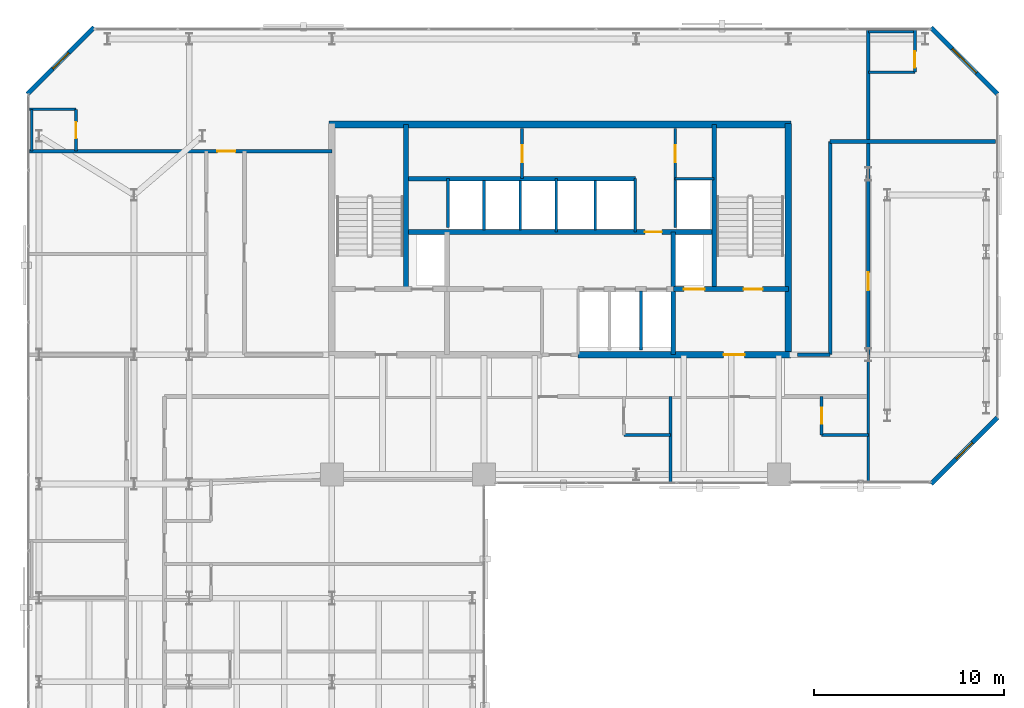
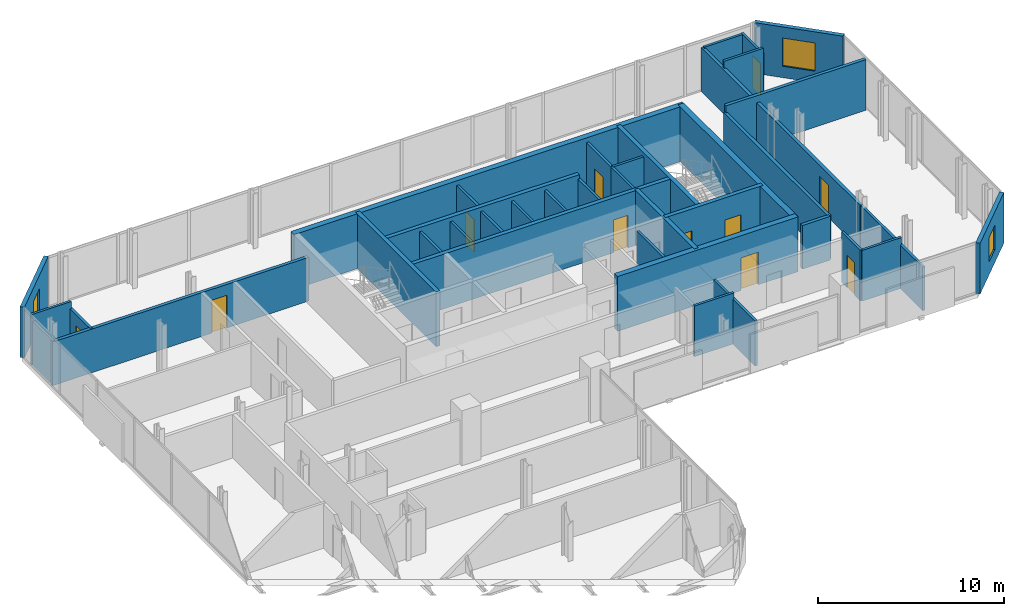
# One storey, part 29 of 32: 39 walls, 11 doors, 3 windows, 14 openings.
"""IFC4 building model written with IfcOpenShell, lengths in metres."""

import ifcopenshell
import ifcopenshell.guid

model = None  # the IFC model being written
_history = None  # IfcOwnerHistory: only IFC2X3 demands one
_inside = {}  # id of a spatial element -> (the spatial element, [elements in it])
_under = {}  # id of a project, library or spatial element -> (it, [spatial elements below it])
_declared = {}  # id of a project -> (the project, [libraries it declares])
_typed = {}  # id of a type object -> (the type object, [elements of that type])
_made_of = {}  # id of a material, layer set ... -> (it, [elements and type objects made of it])


def new_model(schema):
    """Start an empty IFC model of exactly this schema.

    Asked for "IFC4X3", IfcOpenShell would pick the latest addendum, in which some entities
    have other attributes; the version numbers below select the first issue.
    IFC2X3 requires an IfcOwnerHistory on every rooted entity: one is made here for all.
    """
    global model, _history
    if schema == "IFC4X3":
        model = ifcopenshell.file(schema_version=(4, 3, 0, 0))
    else:
        model = ifcopenshell.file(schema=schema)
    _inside.clear()
    _under.clear()
    _declared.clear()
    _typed.clear()
    _made_of.clear()
    _history = None
    if model.schema == "IFC2X3":
        org = make("IfcOrganization", Name="unknown")
        user = make(
            "IfcPersonAndOrganization",
            ThePerson=make("IfcPerson", FamilyName="unknown"),
            TheOrganization=org,
        )
        app = make(
            "IfcApplication",
            ApplicationDeveloper=org,
            Version="unknown",
            ApplicationFullName="unknown",
            ApplicationIdentifier="unknown",
        )
        _history = make(
            "IfcOwnerHistory",
            OwningUser=user,
            OwningApplication=app,
            ChangeAction="ADDED",
            CreationDate=0,
        )
    return model


def make(cls, **values):
    """One entity of the class cls with the attributes given. An attribute that is None is left unset."""
    return model.create_entity(
        cls, **{name: value for name, value in values.items() if value is not None}
    )


def rooted(cls, **values):
    """An entity with a GlobalId (a new one), such as an element, a storey or a relation."""
    return make(cls, GlobalId=ifcopenshell.guid.new(), OwnerHistory=_history, **values)


def si_unit(unit_type, name, prefix=None):
    """IfcSIUnit, for example si_unit("LENGTHUNIT", "METRE", prefix="MILLI")."""
    return make("IfcSIUnit", UnitType=unit_type, Prefix=prefix, Name=name)


def assignment(units):
    """IfcUnitAssignment: the units of a project."""
    return None if units is None else make("IfcUnitAssignment", Units=units)


def point(xyz):
    """IfcCartesianPoint."""
    return None if xyz is None else make("IfcCartesianPoint", Coordinates=xyz)


def direction(xyz):
    """IfcDirection."""
    return None if xyz is None else make("IfcDirection", DirectionRatios=xyz)


def frame(location, z_axis=None, x_axis=None):
    """IfcAxis2Placement3D, a coordinate frame: its origin and axes. An axis left out is left unset."""
    return make(
        "IfcAxis2Placement3D",
        Location=point(location),
        Axis=direction(z_axis),
        RefDirection=direction(x_axis),
    )


def frame_2d(location, x_axis=None):
    """IfcAxis2Placement2D, a coordinate frame in the plane: its origin and x axis."""
    return make(
        "IfcAxis2Placement2D", Location=point(location), RefDirection=direction(x_axis)
    )


def origin():
    """The frame at (0, 0, 0) with its axes left unset."""
    return frame((0.0, 0.0, 0.0))


def place(relative_to, where):
    """IfcLocalPlacement: puts the frame where relative to a parent placement (None: the world)."""
    return make(
        "IfcLocalPlacement", PlacementRelTo=relative_to, RelativePlacement=where
    )


def context(
    kind, dimensions, precision=None, world=None, true_north=None, identifier=None
):
    """IfcGeometricRepresentationContext, for example the 3D "Model" context."""
    return make(
        "IfcGeometricRepresentationContext",
        ContextIdentifier=identifier,
        ContextType=kind,
        CoordinateSpaceDimension=dimensions,
        Precision=precision,
        WorldCoordinateSystem=world,
        TrueNorth=true_north,
    )


def subcontext(parent, identifier, kind, view, scale=None):
    """IfcGeometricRepresentationSubContext, for example "Body" below "Model"."""
    return make(
        "IfcGeometricRepresentationSubContext",
        ContextIdentifier=identifier,
        ContextType=kind,
        ParentContext=parent,
        TargetScale=scale,
        TargetView=view,
    )


def project(units=None, contexts=None):
    """IfcProject with its units and contexts."""
    return rooted(
        "IfcProject",
        Name="project",
        RepresentationContexts=contexts,
        UnitsInContext=assignment(units),
    )


def spatial(cls, under=None, at=None, **own):
    """A site, building, storey or space (cls), placed at a placement, below another one or the project."""
    s = rooted(cls, ObjectPlacement=at, **own)
    if under is not None:
        _under.setdefault(under.id(), (under, []))[1].append(s)
    return s


def profile(cls, at=None, kind="AREA", **sizes):
    """A parametric profile (cls). Its sizes go by their IFC names, for example OverallWidth=200.0."""
    return make(cls, ProfileType=kind, Position=at, **sizes)


def rectangle(**sizes):
    """IfcRectangleProfileDef."""
    return profile("IfcRectangleProfileDef", **sizes)


def extrude(swept, where, along, depth):
    """IfcExtrudedAreaSolid: the profile swept, set in the frame where, extruded along a direction by depth."""
    return make(
        "IfcExtrudedAreaSolid",
        SweptArea=swept,
        Position=where,
        ExtrudedDirection=direction(along),
        Depth=depth,
    )


def shape(context_of_items, identifier, shape_type, items):
    """IfcShapeRepresentation: the items that make up one representation, for example the "Body"."""
    return make(
        "IfcShapeRepresentation",
        ContextOfItems=context_of_items,
        RepresentationIdentifier=identifier,
        RepresentationType=shape_type,
        Items=items,
    )


def material(Name=None, Category=None):
    """IfcMaterial."""
    return make("IfcMaterial", Name=Name, Category=Category)


def layer(
    of_material, thickness, ventilated=None, Name=None, Category=None, Priority=None
):
    """IfcMaterialLayer: one layer of a wall or slab, of a material (None: an air gap)."""
    return make(
        "IfcMaterialLayer",
        Material=of_material,
        LayerThickness=thickness,
        IsVentilated=ventilated,
        Name=Name,
        Category=Category,
        Priority=Priority,
    )


def layer_set(layers, Name=None):
    """IfcMaterialLayerSet."""
    return make("IfcMaterialLayerSet", MaterialLayers=layers, LayerSetName=Name)


def made_of(thing, what):
    """Note that an element or type object is made of a material, layer set ...; save() writes the relation."""
    if what is not None:
        _made_of.setdefault(what.id(), (what, []))[1].append(thing)
    return thing


def type_object(cls, material=None, **own):
    """A type object (cls), such as IfcWallType, which elements share."""
    return made_of(rooted(cls, **own), material)


def element(
    cls,
    number,
    at=None,
    inside=None,
    cuts=None,
    type_object=None,
    material=None,
    context=None,
    identifier="Body",
    shape_type=None,
    held_by="IfcProductDefinitionShape",
    body=None,
    shapes=None,
    **own,
):
    """One element of the class cls, such as IfcWall. Its Tag is "e" and its number.

    at: its placement. inside: the storey or other place that contains it. cuts: it is an
    opening in that element (IfcRelVoidsElement). A single representation is given by context,
    identifier, shape_type and body (its items); several are given by shapes. held_by: the class
    of the entity that holds the representations. save() writes the other relations.
    """
    e = rooted(cls, Tag="e%d" % number, ObjectPlacement=at, **own)
    if body is not None:
        shapes = [shape(context, identifier, shape_type, body)]
    if shapes is not None:
        e.Representation = make(held_by, Representations=shapes)
    if inside is not None:
        _inside.setdefault(inside.id(), (inside, []))[1].append(e)
    if cuts is not None:
        rooted(
            "IfcRelVoidsElement", RelatingBuildingElement=cuts, RelatedOpeningElement=e
        )
    if type_object is not None:
        _typed.setdefault(type_object.id(), (type_object, []))[1].append(e)
    return made_of(e, material)


def fill(opening, filler):
    """IfcRelFillsElement: the door or window that sits in an opening."""
    return rooted(
        "IfcRelFillsElement",
        RelatingOpeningElement=opening,
        RelatedBuildingElement=filler,
    )


def aggregate(whole, parts):
    """IfcRelAggregates: a whole, such as a stair, and the parts it consists of."""
    return rooted("IfcRelAggregates", RelatingObject=whole, RelatedObjects=parts)


def save(model, path):
    """Write the relations noted so far, then the file.

    IfcRelAggregates (storeys below a building ...), IfcRelContainedInSpatialStructure (elements
    in a storey), IfcRelDefinesByType, IfcRelAssociatesMaterial and IfcRelDeclares: one each for
    every whole, place, type object, material and project.
    """
    for whole, parts in _under.values():
        aggregate(whole, parts)
    for where, things in _inside.values():
        rooted(
            "IfcRelContainedInSpatialStructure",
            RelatedElements=things,
            RelatingStructure=where,
        )
    for kind, things in _typed.values():
        rooted("IfcRelDefinesByType", RelatedObjects=things, RelatingType=kind)
    for what, things in _made_of.values():
        rooted("IfcRelAssociatesMaterial", RelatedObjects=things, RelatingMaterial=what)
    for by, libraries in _declared.values():
        rooted("IfcRelDeclares", RelatingContext=by, RelatedDefinitions=libraries)
    model.write(path)


model = new_model("IFC4")

# Units and contexts
model_context = context("Model", 3, precision=1e-05, world=origin(), true_north=direction((0.0, 1.0)))
body_context = subcontext(model_context, "Body", "Model", "MODEL_VIEW")
ifc_project = project(units=[si_unit("LENGTHUNIT", "METRE"), si_unit("AREAUNIT", "SQUARE_METRE"), si_unit("VOLUMEUNIT", "CUBIC_METRE"), si_unit("PLANEANGLEUNIT", "RADIAN"), si_unit("MASSUNIT", "GRAM", prefix="KILO")], contexts=[model_context])

# Site, building, storey
site_placement = place(None, origin())
site = spatial("IfcSite", under=ifc_project, at=site_placement, CompositionType="ELEMENT")
building_placement = place(site_placement, origin())
building = spatial("IfcBuilding", under=site, at=building_placement, Name="Catumbela Crestline Tower", CompositionType="ELEMENT")
storey_placement = place(building_placement, frame((0.0, 0.0, 129.6)))
storey = spatial("IfcBuildingStorey", under=building, at=storey_placement, Name="L33", CompositionType="ELEMENT", Elevation=129.6)

# Walls
ifc_material_1 = material(Name="Concrete C50/60", Category="concrete")
ifc_layer_1 = layer(ifc_material_1, 0.25, Name="Concrete C50/60")
ifc_layer_set_1 = layer_set([ifc_layer_1], Name="Concrete C50/60")
wall_type_1 = type_object("IfcWallType", Name="CW-250D", PredefinedType="SHEAR", material=ifc_layer_set_1)
for number, where, z_axis, x_axis, name in (
    (1, (19.9, 34.25, 0.0), (0.0, 0.0, 1.0), (0.0, 1.0, 0.0), "L33 Structural Core Shear Wall WWEB"),
    (2, (36.1, 34.25, 0.0), (0.0, 0.0, 1.0), (0.0, 1.0, 0.0), "L33 Structural Core Shear Wall EWEB"),
):
    element("IfcWall", number, at=place(storey_placement, frame(where, z_axis=z_axis, x_axis=x_axis)), inside=storey, type_object=wall_type_1, Name=name, PredefinedType="SHEAR", context=body_context, shape_type="SweptSolid", body=[
        extrude(rectangle(XDim=8.65, YDim=0.25, at=frame_2d((4.325, 0.0))), origin(), (0.0, 0.0, 1.0), 3.6),
    ])
wall_1_placement = place(storey_placement, frame((33.95, 30.8, 0.0), z_axis=(0.0, 0.0, 1.0), x_axis=(0.0, 1.0, 0.0)))
element("IfcWall", 3, at=wall_1_placement, inside=storey, type_object=wall_type_1, Name="L33 Structural Core Shear Wall FFE", PredefinedType="SHEAR", context=body_context, shape_type="SweptSolid", body=[
    extrude(rectangle(XDim=6.45, YDim=0.25, at=frame_2d((3.225, 0.0))), origin(), (0.0, 0.0, 1.0), 3.6),
])

# Wall, openings, doors
wall_2_placement = place(storey_placement, frame((33.95, 34.25, 0.0), z_axis=(0.0, 0.0, 1.0), x_axis=(1.0, 0.0, 0.0)))
wall_2 = element("IfcWall", 4, at=wall_2_placement, inside=storey, type_object=wall_type_1, Name="L33 Structural Core Shear Wall ST2S", PredefinedType="SHEAR", context=body_context, shape_type="SweptSolid", body=[
    extrude(rectangle(XDim=6.05, YDim=0.25, at=frame_2d((3.025, 0.0))), origin(), (0.0, 0.0, 1.0), 3.6),
])
opening_1_placement = place(wall_2_placement, frame((3.7, 0.0, 0.0)))
opening_1 = element("IfcOpeningElement", 5, at=opening_1_placement, cuts=wall_2, Name="Opening DF9-100", PredefinedType="OPENING", context=body_context, shape_type="SweptSolid", body=[
    extrude(rectangle(XDim=1.0, YDim=2.15, at=frame_2d((0.5, 1.075))), frame((0.0, 0.135, 0.0), z_axis=(0.0, -1.0, 0.0), x_axis=(1.0, 0.0, 0.0)), (0.0, 0.0, 1.0), 0.27),
])
opening_2_placement = place(wall_2_placement, frame((0.55, 0.0, 0.0)))
opening_2 = element("IfcOpeningElement", 6, at=opening_2_placement, cuts=wall_2, Name="Opening LD-110", PredefinedType="OPENING", context=body_context, shape_type="SweptSolid", body=[
    extrude(rectangle(XDim=1.1, YDim=2.15, at=frame_2d((0.55, 1.075))), frame((0.0, 0.135, 0.0), z_axis=(0.0, -1.0, 0.0), x_axis=(1.0, 0.0, 0.0)), (0.0, 0.0, 1.0), 0.27),
])
ifc_material_2 = material(Name="Stainless steel EN 1.4401", Category="steel")
door_type_1 = type_object("IfcDoorType", Name="DF9-100", OperationType="NOTDEFINED", PredefinedType="DOOR", material=ifc_material_2)
door_1_placement = place(opening_1_placement, origin())
door_1 = element("IfcDoor", 7, at=door_1_placement, inside=storey, type_object=door_type_1, Name="L33 Interior Door DR-L33-ST02", OperationType="SINGLE_SWING_RIGHT", OverallHeight=2.15, OverallWidth=1.0, PredefinedType="DOOR", context=body_context, shape_type="SweptSolid", body=[
    extrude(rectangle(XDim=1.0, YDim=2.15, at=frame_2d((0.5, 1.075))), frame((0.0, 0.025, 0.0), z_axis=(0.0, -1.0, 0.0), x_axis=(1.0, 0.0, 0.0)), (0.0, 0.0, 1.0), 0.05),
])
fill(opening_1, door_1)
door_type_2 = type_object("IfcDoorType", Name="LD-110", OperationType="NOTDEFINED", PredefinedType="DOOR", material=ifc_material_2)
door_2_placement = place(opening_2_placement, origin())
door_2 = element("IfcDoor", 8, at=door_2_placement, inside=storey, type_object=door_type_2, Name="L33 Lift Landing Sliding Door FL-02", OperationType="DOUBLE_DOOR_SLIDING", OverallHeight=2.15, OverallWidth=1.1, PredefinedType="DOOR", context=body_context, shape_type="SweptSolid", body=[
    extrude(rectangle(XDim=1.1, YDim=2.15, at=frame_2d((0.55, 1.075))), frame((0.0, 0.025, 0.0), z_axis=(0.0, -1.0, 0.0), x_axis=(1.0, 0.0, 0.0)), (0.0, 0.0, 1.0), 0.05),
])
fill(opening_2, door_2)

# Wall, opening, door
wall_3_placement = place(storey_placement, frame((19.9, 37.25, 0.0), z_axis=(0.0, 0.0, 1.0), x_axis=(1.0, 0.0, 0.0)))
wall_3 = element("IfcWall", 9, at=wall_3_placement, inside=storey, type_object=wall_type_1, Name="L33 Structural Core Shear Wall LIFTN", PredefinedType="SHEAR", context=body_context, shape_type="SweptSolid", body=[
    extrude(rectangle(XDim=16.2, YDim=0.25, at=frame_2d((8.1, 0.0))), origin(), (0.0, 0.0, 1.0), 3.6),
])
opening_3_placement = place(wall_3_placement, frame((12.55, 0.0, 0.0)))
opening_3 = element("IfcOpeningElement", 10, at=opening_3_placement, cuts=wall_3, Name="Opening DF9-090", PredefinedType="OPENING", context=body_context, shape_type="SweptSolid", body=[
    extrude(rectangle(XDim=0.9, YDim=2.15, at=frame_2d((0.45, 1.075))), frame((0.0, 0.135, 0.0), z_axis=(0.0, -1.0, 0.0), x_axis=(1.0, 0.0, 0.0)), (0.0, 0.0, 1.0), 0.27),
])
door_type_3 = type_object("IfcDoorType", Name="DF9-090", OperationType="NOTDEFINED", PredefinedType="DOOR", material=ifc_material_2)
door_3_placement = place(opening_3_placement, origin())
door_3 = element("IfcDoor", 11, at=door_3_placement, inside=storey, type_object=door_type_3, Name="L33 Interior Door DR-L33-CPAS1", OperationType="SINGLE_SWING_LEFT", OverallHeight=2.15, OverallWidth=0.9, PredefinedType="DOOR", context=body_context, shape_type="SweptSolid", body=[
    extrude(rectangle(XDim=0.9, YDim=2.15, at=frame_2d((0.45, 1.075))), frame((0.0, 0.025, 0.0), z_axis=(0.0, -1.0, 0.0), x_axis=(1.0, 0.0, 0.0)), (0.0, 0.0, 1.0), 0.05),
])
fill(opening_3, door_3)

# Walls
wall_4_placement = place(storey_placement, frame((19.9, 40.05, 0.0), z_axis=(0.0, 0.0, 1.0), x_axis=(1.0, 0.0, 0.0)))
element("IfcWall", 12, at=wall_4_placement, inside=storey, type_object=wall_type_1, Name="L33 Structural Core Shear Wall COREN", PredefinedType="SHEAR", context=body_context, shape_type="SweptSolid", body=[
    extrude(rectangle(XDim=12.05, YDim=0.25, at=frame_2d((6.025, 0.0))), origin(), (0.0, 0.0, 1.0), 3.6),
])
ifc_layer_2 = layer(ifc_material_1, 0.35, Name="Concrete C50/60")
ifc_layer_set_2 = layer_set([ifc_layer_2], Name="Concrete C50/60")
wall_type_2 = type_object("IfcWallType", Name="CW-350B", PredefinedType="SHEAR", material=ifc_layer_set_2)
wall_5_placement = place(storey_placement, frame((40.0, 30.65, 0.0), z_axis=(0.0, 0.0, 1.0), x_axis=(0.0, 1.0, 0.0)))
element("IfcWall", 13, at=wall_5_placement, inside=storey, type_object=wall_type_2, Name="L33 Structural Core Shear Wall E", PredefinedType="SHEAR", context=body_context, shape_type="SweptSolid", body=[
    extrude(rectangle(XDim=12.3, YDim=0.35, at=frame_2d((6.15, 0.0))), origin(), (0.0, 0.0, 1.0), 3.6),
])
wall_6_placement = place(storey_placement, frame((15.85, 42.9, 0.0), z_axis=(0.0, 0.0, 1.0), x_axis=(1.0, 0.0, 0.0)))
element("IfcWall", 14, at=wall_6_placement, inside=storey, type_object=wall_type_2, Name="L33 Structural Core Shear Wall N", PredefinedType="SHEAR", context=body_context, shape_type="SweptSolid", body=[
    extrude(rectangle(XDim=24.3, YDim=0.35, at=frame_2d((12.15, 0.0))), origin(), (0.0, 0.0, 1.0), 3.6),
])

# Wall, opening, door
wall_7_placement = place(storey_placement, frame((28.95, 30.8, 0.0), z_axis=(0.0, 0.0, 1.0), x_axis=(1.0, 0.0, 0.0)))
wall_7 = element("IfcWall", 15, at=wall_7_placement, inside=storey, type_object=wall_type_2, Name="L33 Structural Core Shear Wall SE", PredefinedType="SHEAR", context=body_context, shape_type="SweptSolid", body=[
    extrude(rectangle(XDim=11.2, YDim=0.35, at=frame_2d((5.6, 0.0))), origin(), (0.0, 0.0, 1.0), 3.6),
])
opening_4_placement = place(wall_7_placement, frame((7.65, 0.0, 0.0)))
opening_4 = element("IfcOpeningElement", 16, at=opening_4_placement, cuts=wall_7, Name="Opening DF9-110", PredefinedType="OPENING", context=body_context, shape_type="SweptSolid", body=[
    extrude(rectangle(XDim=1.1, YDim=2.15, at=frame_2d((0.55, 1.075))), frame((0.0, 0.185, 0.0), z_axis=(0.0, -1.0, 0.0), x_axis=(1.0, 0.0, 0.0)), (0.0, 0.0, 1.0), 0.37),
])
door_type_4 = type_object("IfcDoorType", Name="DF9-110", OperationType="NOTDEFINED", PredefinedType="DOOR", material=ifc_material_2)
door_4_placement = place(opening_4_placement, origin())
door_4 = element("IfcDoor", 17, at=door_4_placement, inside=storey, type_object=door_type_4, Name="L33 Interior Door DR-L33-FFE-S", OperationType="SINGLE_SWING_RIGHT", OverallHeight=2.15, OverallWidth=1.1, PredefinedType="DOOR", context=body_context, shape_type="SweptSolid", body=[
    extrude(rectangle(XDim=1.1, YDim=2.15, at=frame_2d((0.55, 1.075))), frame((0.0, 0.025, 0.0), z_axis=(0.0, -1.0, 0.0), x_axis=(1.0, 0.0, 0.0)), (0.0, 0.0, 1.0), 0.05),
])
fill(opening_4, door_4)

# Walls
ifc_material_3 = material(Name="Acoustic gypsum and mineral-wool partition")
ifc_layer_3 = layer(ifc_material_3, 0.2, Name="Acoustic gypsum and mineral-wool partition")
ifc_layer_set_3 = layer_set([ifc_layer_3], Name="Acoustic gypsum and mineral-wool partition")
wall_type_3 = type_object("IfcWallType", Name="WC-200", PredefinedType="PARTITIONING", material=ifc_layer_set_3)
wall_8_placement = place(storey_placement, frame((40.47, 30.8, 0.0), z_axis=(0.0, 0.0, 1.0), x_axis=(1.0, 0.0, 0.0)))
element("IfcWall", 18, at=wall_8_placement, inside=storey, type_object=wall_type_3, Name="L33 Interior Partition PW-L33-Z2CW-E1", PredefinedType="PARTITIONING", context=body_context, shape_type="SweptSolid", body=[
    extrude(rectangle(XDim=1.73, YDim=0.2, at=frame_2d((0.865, 0.0))), origin(), (0.0, 0.0, 1.0), 2.87),
])
wall_9_placement = place(storey_placement, frame((42.2, 30.8, 0.0), z_axis=(0.0, 0.0, 1.0), x_axis=(0.0, 1.0, 0.0)))
element("IfcWall", 19, at=wall_9_placement, inside=storey, type_object=wall_type_3, Name="L33 Interior Partition PW-L33-Z2CW-E2", PredefinedType="PARTITIONING", context=body_context, shape_type="SweptSolid", body=[
    extrude(rectangle(XDim=11.2, YDim=0.2, at=frame_2d((5.6, 0.0))), origin(), (0.0, 0.0, 1.0), 2.87),
])
wall_10_placement = place(storey_placement, frame((42.2, 42.0, 0.0), z_axis=(0.0, 0.0, 1.0), x_axis=(1.0, 0.0, 0.0)))
element("IfcWall", 20, at=wall_10_placement, inside=storey, type_object=wall_type_3, Name="L33 Interior Partition PW-L33-Z2CW-E3", PredefinedType="PARTITIONING", context=body_context, shape_type="SweptSolid", body=[
    extrude(rectangle(XDim=8.7, YDim=0.2, at=frame_2d((4.35, 0.0))), origin(), (0.0, 0.0, 1.0), 3.33),
])

# Wall, opening, door
wall_11_placement = place(storey_placement, frame((0.1, 41.5, 0.0), z_axis=(0.0, 0.0, 1.0), x_axis=(1.0, 0.0, 0.0)))
wall_11 = element("IfcWall", 21, at=wall_11_placement, inside=storey, type_object=wall_type_3, Name="L33 Interior Partition PW-L33-Z2NWT-ENT", PredefinedType="PARTITIONING", context=body_context, shape_type="SweptSolid", body=[
    extrude(rectangle(XDim=15.9, YDim=0.2, at=frame_2d((7.95, 0.0))), origin(), (0.0, 0.0, 1.0), 2.87),
])
opening_5_placement = place(wall_11_placement, frame((9.8771, 0.0, 0.0)))
opening_5 = element("IfcOpeningElement", 22, at=opening_5_placement, cuts=wall_11, Name="Opening DF6-095", PredefinedType="OPENING", context=body_context, shape_type="SweptSolid", body=[
    extrude(rectangle(XDim=0.95, YDim=2.15, at=frame_2d((0.475, 1.075))), frame((0.0, 0.11, 0.0), z_axis=(0.0, -1.0, 0.0), x_axis=(1.0, 0.0, 0.0)), (0.0, 0.0, 1.0), 0.22),
])
ifc_material_4 = material(Name="Aluminium alloy AW-6060-T66", Category="aluminium")
door_type_5 = type_object("IfcDoorType", Name="DF6-095", OperationType="NOTDEFINED", PredefinedType="DOOR", material=ifc_material_4)
door_5_placement = place(opening_5_placement, origin())
door_5 = element("IfcDoor", 23, at=door_5_placement, inside=storey, type_object=door_type_5, Name="L33 Interior Door DR-L33-Z2NWT-ENT", OperationType="SINGLE_SWING_RIGHT", OverallHeight=2.15, OverallWidth=0.95, PredefinedType="DOOR", context=body_context, shape_type="SweptSolid", body=[
    extrude(rectangle(XDim=0.95, YDim=2.15, at=frame_2d((0.475, 1.075))), frame((0.0, 0.025, 0.0), z_axis=(0.0, -1.0, 0.0), x_axis=(1.0, 0.0, 0.0)), (0.0, 0.0, 1.0), 0.05),
])
fill(opening_5, door_5)

wall_12_placement = place(storey_placement, frame((44.2, 30.8, 0.0), z_axis=(0.0, 0.0, 1.0), x_axis=(0.0, 1.0, 0.0)))
wall_12 = element("IfcWall", 24, at=wall_12_placement, inside=storey, type_object=wall_type_3, Name="L33 Interior Partition PW-L33-SE1-ENT", PredefinedType="PARTITIONING", context=body_context, shape_type="SweptSolid", body=[
    extrude(rectangle(XDim=17.1, YDim=0.2, at=frame_2d((8.55, 0.0))), origin(), (0.0, 0.0, 1.0), 2.87),
])
opening_6_placement = place(wall_12_placement, frame((3.3825, 0.0, 0.0)))
opening_6 = element("IfcOpeningElement", 25, at=opening_6_placement, cuts=wall_12, Name="Opening DF6-095", PredefinedType="OPENING", context=body_context, shape_type="SweptSolid", body=[
    extrude(rectangle(XDim=0.95, YDim=2.15, at=frame_2d((0.475, 1.075))), frame((0.0, 0.11, 0.0), z_axis=(0.0, -1.0, 0.0), x_axis=(1.0, 0.0, 0.0)), (0.0, 0.0, 1.0), 0.22),
])
door_6_placement = place(opening_6_placement, origin())
door_6 = element("IfcDoor", 26, at=door_6_placement, inside=storey, type_object=door_type_5, Name="L33 Interior Door DR-L33-SE1-ENT", OperationType="SINGLE_SWING_RIGHT", OverallHeight=2.15, OverallWidth=0.95, PredefinedType="DOOR", context=body_context, shape_type="SweptSolid", body=[
    extrude(rectangle(XDim=0.95, YDim=2.15, at=frame_2d((0.475, 1.075))), frame((0.0, 0.025, 0.0), z_axis=(0.0, -1.0, 0.0), x_axis=(1.0, 0.0, 0.0)), (0.0, 0.0, 1.0), 0.05),
])
fill(opening_6, door_6)

# Wall, opening, window
ifc_material_5 = material(Name="Angolan grey-ochre granite", Category="masonry")
ifc_layer_4 = layer(ifc_material_5, 0.25, Name="Angolan grey-ochre granite")
ifc_layer_set_4 = layer_set([ifc_layer_4], Name="Angolan grey-ochre granite")
wall_type_4 = type_object("IfcWallType", Name="WE-250", PredefinedType="STANDARD", material=ifc_layer_set_4)
wall_13_placement = place(storey_placement, frame((47.5, 24.0, 0.0), z_axis=(0.0, 0.0, 1.0), x_axis=(0.707106781187, 0.707106781187, 0.0)))
wall_13 = element("IfcWall", 27, at=wall_13_placement, inside=storey, type_object=wall_type_4, Name="L33 Granite Punched Window Wall 4-1", PredefinedType="STANDARD", context=body_context, shape_type="SweptSolid", body=[
    extrude(rectangle(XDim=4.9497, YDim=0.25, at=frame_2d((2.4748, 0.0))), origin(), (0.0, 0.0, 1.0), 3.33),
])
opening_7_placement = place(wall_13_placement, frame((1.8748, 0.0, 0.85)))
opening_7 = element("IfcOpeningElement", 28, at=opening_7_placement, cuts=wall_13, Name="Opening WN-02", PredefinedType="OPENING", context=body_context, shape_type="SweptSolid", body=[
    extrude(rectangle(XDim=1.2, YDim=1.6, at=frame_2d((0.6, 0.8))), frame((0.0, 0.135, 0.0), z_axis=(0.0, -1.0, 0.0), x_axis=(1.0, 0.0, 0.0)), (0.0, 0.0, 1.0), 0.27),
])
ifc_material_6 = material(Name="Low-E laminated solar-control double glazing", Category="glass")
window_type_1 = type_object("IfcWindowType", Name="WO-1200", PartitioningType="SINGLE_PANEL", PredefinedType="WINDOW", material=ifc_material_6)
window_1_placement = place(opening_7_placement, origin())
window_1 = element("IfcWindow", 29, at=window_1_placement, inside=storey, type_object=window_type_1, Name="L33 Facade Vision Window 186", OverallHeight=1.6, OverallWidth=1.2, PartitioningType="SINGLE_PANEL", PredefinedType="WINDOW", context=body_context, shape_type="SweptSolid", body=[
    extrude(rectangle(XDim=1.2, YDim=1.6, at=frame_2d((0.6, 0.8))), frame((0.0, 0.03, 0.0), z_axis=(0.0, -1.0, 0.0), x_axis=(1.0, 0.0, 0.0)), (0.0, 0.0, 1.0), 0.06),
])
fill(opening_7, window_1)

wall_14_placement = place(storey_placement, frame((51.0, 44.5, 0.0), z_axis=(0.0, 0.0, 1.0), x_axis=(-0.707106781187, 0.707106781187, 0.0)))
wall_14 = element("IfcWall", 30, at=wall_14_placement, inside=storey, type_object=wall_type_4, Name="L33 Granite Punched Window Wall 6-1", PredefinedType="STANDARD", context=body_context, shape_type="SweptSolid", body=[
    extrude(rectangle(XDim=4.9497, YDim=0.25, at=frame_2d((2.4748, 0.0))), origin(), (0.0, 0.0, 1.0), 3.33),
])
opening_8_placement = place(wall_14_placement, frame((1.5749, 0.0, 0.75)))
opening_8 = element("IfcOpeningElement", 31, at=opening_8_placement, cuts=wall_14, Name="Opening WN-01", PredefinedType="OPENING", context=body_context, shape_type="SweptSolid", body=[
    extrude(rectangle(XDim=1.8, YDim=1.85, at=frame_2d((0.9, 0.925))), frame((0.0, 0.135, 0.0), z_axis=(0.0, -1.0, 0.0), x_axis=(1.0, 0.0, 0.0)), (0.0, 0.0, 1.0), 0.27),
])
window_type_2 = type_object("IfcWindowType", Name="WF-1800", PartitioningType="SINGLE_PANEL", PredefinedType="WINDOW", material=ifc_material_6)
window_2_placement = place(opening_8_placement, origin())
window_2 = element("IfcWindow", 32, at=window_2_placement, inside=storey, type_object=window_type_2, Name="L33 Facade Vision Window 187", OverallHeight=1.85, OverallWidth=1.8, PartitioningType="SINGLE_PANEL", PredefinedType="WINDOW", context=body_context, shape_type="SweptSolid", body=[
    extrude(rectangle(XDim=1.8, YDim=1.85, at=frame_2d((0.9, 0.925))), frame((0.0, 0.03, 0.0), z_axis=(0.0, -1.0, 0.0), x_axis=(1.0, 0.0, 0.0)), (0.0, 0.0, 1.0), 0.06),
])
fill(opening_8, window_2)

wall_15_placement = place(storey_placement, frame((3.5, 48.0, 0.0), z_axis=(0.0, 0.0, 1.0), x_axis=(-0.707106781187, -0.707106781187, 0.0)))
wall_15 = element("IfcWall", 33, at=wall_15_placement, inside=storey, type_object=wall_type_4, Name="L33 Granite Punched Window Wall 8-1", PredefinedType="STANDARD", context=body_context, shape_type="SweptSolid", body=[
    extrude(rectangle(XDim=4.9497, YDim=0.25, at=frame_2d((2.4748, 0.0))), origin(), (0.0, 0.0, 1.0), 3.33),
])
opening_9_placement = place(wall_15_placement, frame((1.8748, 0.0, 0.85)))
opening_9 = element("IfcOpeningElement", 34, at=opening_9_placement, cuts=wall_15, Name="Opening WN-02", PredefinedType="OPENING", context=body_context, shape_type="SweptSolid", body=[
    extrude(rectangle(XDim=1.2, YDim=1.6, at=frame_2d((0.6, 0.8))), frame((0.0, 0.135, 0.0), z_axis=(0.0, -1.0, 0.0), x_axis=(1.0, 0.0, 0.0)), (0.0, 0.0, 1.0), 0.27),
])
window_3_placement = place(opening_9_placement, origin())
window_3 = element("IfcWindow", 35, at=window_3_placement, inside=storey, type_object=window_type_1, Name="L33 Facade Vision Window 188", OverallHeight=1.6, OverallWidth=1.2, PartitioningType="SINGLE_PANEL", PredefinedType="WINDOW", context=body_context, shape_type="SweptSolid", body=[
    extrude(rectangle(XDim=1.2, YDim=1.6, at=frame_2d((0.6, 0.8))), frame((0.0, 0.03, 0.0), z_axis=(0.0, -1.0, 0.0), x_axis=(1.0, 0.0, 0.0)), (0.0, 0.0, 1.0), 0.06),
])
fill(opening_9, window_3)

# Wall
ifc_layer_5 = layer(ifc_material_3, 0.15, Name="Acoustic gypsum and mineral-wool partition")
ifc_layer_set_5 = layer_set([ifc_layer_5], Name="Acoustic gypsum and mineral-wool partition")
wall_type_5 = type_object("IfcWallType", Name="WP-150", PredefinedType="PARTITIONING", material=ifc_layer_set_5)
wall_16_placement = place(storey_placement, frame((34.05, 40.05, 0.0), z_axis=(0.0, 0.0, 1.0), x_axis=(1.0, 0.0, 0.0)))
element("IfcWall", 36, at=wall_16_placement, inside=storey, type_object=wall_type_5, Name="L33 Interior Partition PW-L33-CR-ES", PredefinedType="PARTITIONING", context=body_context, shape_type="SweptSolid", body=[
    extrude(rectangle(XDim=2.05, YDim=0.15, at=frame_2d((1.025, 0.0))), origin(), (0.0, 0.0, 1.0), 3.33),
])

# Wall, opening, door
wall_17_placement = place(storey_placement, frame((34.05, 40.05, 0.0), z_axis=(0.0, 0.0, 1.0), x_axis=(0.0, 1.0, 0.0)))
wall_17 = element("IfcWall", 37, at=wall_17_placement, inside=storey, type_object=wall_type_5, Name="L33 Interior Partition PW-L33-CR-EW", PredefinedType="PARTITIONING", context=body_context, shape_type="SweptSolid", body=[
    extrude(rectangle(XDim=2.63, YDim=0.15, at=frame_2d((1.315, 0.0))), origin(), (0.0, 0.0, 1.0), 3.33),
])
opening_10_placement = place(wall_17_placement, frame((0.865, 0.0, 0.0)))
opening_10 = element("IfcOpeningElement", 38, at=opening_10_placement, cuts=wall_17, Name="Opening DF9-090", PredefinedType="OPENING", context=body_context, shape_type="SweptSolid", body=[
    extrude(rectangle(XDim=0.9, YDim=2.15, at=frame_2d((0.45, 1.075))), frame((0.0, 0.085, 0.0), z_axis=(0.0, -1.0, 0.0), x_axis=(1.0, 0.0, 0.0)), (0.0, 0.0, 1.0), 0.17),
])
door_7_placement = place(opening_10_placement, origin())
door_7 = element("IfcDoor", 39, at=door_7_placement, inside=storey, type_object=door_type_3, Name="L33 Interior Door DR-L33-CREAST", OperationType="SINGLE_SWING_RIGHT", OverallHeight=2.15, OverallWidth=0.9, PredefinedType="DOOR", context=body_context, shape_type="SweptSolid", body=[
    extrude(rectangle(XDim=0.9, YDim=2.15, at=frame_2d((0.45, 1.075))), frame((0.0, 0.025, 0.0), z_axis=(0.0, -1.0, 0.0), x_axis=(1.0, 0.0, 0.0)), (0.0, 0.0, 1.0), 0.05),
])
fill(opening_10, door_7)

wall_18_placement = place(storey_placement, frame((26.0, 40.05, 0.0), z_axis=(0.0, 0.0, 1.0), x_axis=(0.0, 1.0, 0.0)))
wall_18 = element("IfcWall", 40, at=wall_18_placement, inside=storey, type_object=wall_type_5, Name="L33 Interior Partition PW-L33-CR-WW", PredefinedType="PARTITIONING", context=body_context, shape_type="SweptSolid", body=[
    extrude(rectangle(XDim=2.63, YDim=0.15, at=frame_2d((1.315, 0.0))), origin(), (0.0, 0.0, 1.0), 3.33),
])
opening_11_placement = place(wall_18_placement, frame((0.865, 0.0, 0.0)))
opening_11 = element("IfcOpeningElement", 41, at=opening_11_placement, cuts=wall_18, Name="Opening DF9-090", PredefinedType="OPENING", context=body_context, shape_type="SweptSolid", body=[
    extrude(rectangle(XDim=0.9, YDim=2.15, at=frame_2d((0.45, 1.075))), frame((0.0, 0.085, 0.0), z_axis=(0.0, -1.0, 0.0), x_axis=(1.0, 0.0, 0.0)), (0.0, 0.0, 1.0), 0.17),
])
door_8_placement = place(opening_11_placement, origin())
door_8 = element("IfcDoor", 42, at=door_8_placement, inside=storey, type_object=door_type_3, Name="L33 Interior Door DR-L33-CRWEST", OperationType="SINGLE_SWING_LEFT", OverallHeight=2.15, OverallWidth=0.9, PredefinedType="DOOR", context=body_context, shape_type="SweptSolid", body=[
    extrude(rectangle(XDim=0.9, YDim=2.15, at=frame_2d((0.45, 1.075))), frame((0.0, 0.025, 0.0), z_axis=(0.0, -1.0, 0.0), x_axis=(1.0, 0.0, 0.0)), (0.0, 0.0, 1.0), 0.05),
])
fill(opening_11, door_8)

# Wall
wall_19_placement = place(storey_placement, frame((0.1, 43.7, 0.0), z_axis=(0.0, 0.0, 1.0), x_axis=(1.0, 0.0, 0.0)))
element("IfcWall", 43, at=wall_19_placement, inside=storey, type_object=wall_type_5, Name="L33 Interior Partition PW-L33-Z2NWT-BHW", PredefinedType="PARTITIONING", context=body_context, shape_type="SweptSolid", body=[
    extrude(rectangle(XDim=2.45, YDim=0.15, at=frame_2d((1.225, 0.0))), origin(), (0.0, 0.0, 1.0), 3.33),
])

# Wall, opening, door
wall_20_placement = place(storey_placement, frame((2.55, 41.5, 0.0), z_axis=(0.0, 0.0, 1.0), x_axis=(0.0, 1.0, 0.0)))
wall_20 = element("IfcWall", 44, at=wall_20_placement, inside=storey, type_object=wall_type_5, Name="L33 Interior Partition PW-L33-Z2NWT-BEW", PredefinedType="PARTITIONING", context=body_context, shape_type="SweptSolid", body=[
    extrude(rectangle(XDim=2.2, YDim=0.15, at=frame_2d((1.1, 0.0))), origin(), (0.0, 0.0, 1.0), 2.87),
])
opening_12_placement = place(wall_20_placement, frame((0.675, 0.0, 0.0)))
opening_12 = element("IfcOpeningElement", 45, at=opening_12_placement, cuts=wall_20, Name="Opening DI-085", PredefinedType="OPENING", context=body_context, shape_type="SweptSolid", body=[
    extrude(rectangle(XDim=0.85, YDim=2.15, at=frame_2d((0.425, 1.075))), frame((0.0, 0.085, 0.0), z_axis=(0.0, -1.0, 0.0), x_axis=(1.0, 0.0, 0.0)), (0.0, 0.0, 1.0), 0.17),
])
door_type_6 = type_object("IfcDoorType", Name="DI-085", OperationType="NOTDEFINED", PredefinedType="DOOR", material=ifc_material_4)
door_9_placement = place(opening_12_placement, origin())
door_9 = element("IfcDoor", 46, at=door_9_placement, inside=storey, type_object=door_type_6, Name="L33 Interior Door DR-L33-Z2NWT-BTH", OperationType="SINGLE_SWING_LEFT", OverallHeight=2.15, OverallWidth=0.85, PredefinedType="DOOR", context=body_context, shape_type="SweptSolid", body=[
    extrude(rectangle(XDim=0.85, YDim=2.15, at=frame_2d((0.425, 1.075))), frame((0.0, 0.025, 0.0), z_axis=(0.0, -1.0, 0.0), x_axis=(1.0, 0.0, 0.0)), (0.0, 0.0, 1.0), 0.05),
])
fill(opening_12, door_9)

# Walls
wall_21_placement = place(storey_placement, frame((0.22, 41.5, 0.0), z_axis=(0.0, 0.0, 1.0), x_axis=(0.0, 1.0, 0.0)))
element("IfcWall", 47, at=wall_21_placement, inside=storey, type_object=wall_type_5, Name="L33 Interior Partition PW-L33-Z2NWT-BCL-2", PredefinedType="PARTITIONING", context=body_context, shape_type="SweptSolid", body=[
    extrude(rectangle(XDim=2.2, YDim=0.15, at=frame_2d((1.1, 0.0))), origin(), (0.0, 0.0, 1.0), 2.87),
])
wall_22_placement = place(storey_placement, frame((31.35, 26.576, 0.0), z_axis=(0.0, 0.0, 1.0), x_axis=(1.0, 0.0, 0.0)))
element("IfcWall", 48, at=wall_22_placement, inside=storey, type_object=wall_type_5, Name="L33 Interior Partition PW-L33-SS1-BHW", PredefinedType="PARTITIONING", context=body_context, shape_type="SweptSolid", body=[
    extrude(rectangle(XDim=2.45, YDim=0.15, at=frame_2d((1.225, 0.0))), origin(), (0.0, 0.0, 1.0), 3.33),
])
wall_23_placement = place(storey_placement, frame((33.8, 28.6, 0.0), z_axis=(0.0, 0.0, 1.0), x_axis=(0.0, -1.0, 0.0)))
element("IfcWall", 49, at=wall_23_placement, inside=storey, type_object=wall_type_5, Name="L33 Interior Partition PW-L33-SS1-BCL-2", PredefinedType="PARTITIONING", context=body_context, shape_type="SweptSolid", body=[
    extrude(rectangle(XDim=4.5, YDim=0.15, at=frame_2d((2.25, 0.0))), origin(), (0.0, 0.0, 1.0), 2.96),
])
wall_24_placement = place(storey_placement, frame((41.75, 26.576, 0.0), z_axis=(0.0, 0.0, 1.0), x_axis=(1.0, 0.0, 0.0)))
element("IfcWall", 50, at=wall_24_placement, inside=storey, type_object=wall_type_5, Name="L33 Interior Partition PW-L33-SS2-BHW", PredefinedType="PARTITIONING", context=body_context, shape_type="SweptSolid", body=[
    extrude(rectangle(XDim=2.45, YDim=0.15, at=frame_2d((1.225, 0.0))), origin(), (0.0, 0.0, 1.0), 3.33),
])

# Wall, opening, door
wall_25_placement = place(storey_placement, frame((41.75, 26.576, 0.0), z_axis=(0.0, 0.0, 1.0), x_axis=(0.0, 1.0, 0.0)))
wall_25 = element("IfcWall", 51, at=wall_25_placement, inside=storey, type_object=wall_type_5, Name="L33 Interior Partition PW-L33-SS2-BWW", PredefinedType="PARTITIONING", context=body_context, shape_type="SweptSolid", body=[
    extrude(rectangle(XDim=2.024, YDim=0.15, at=frame_2d((1.012, 0.0))), origin(), (0.0, 0.0, 1.0), 3.33),
])
opening_13_placement = place(wall_25_placement, frame((0.587, 0.0, 0.0)))
opening_13 = element("IfcOpeningElement", 52, at=opening_13_placement, cuts=wall_25, Name="Opening DI-085", PredefinedType="OPENING", context=body_context, shape_type="SweptSolid", body=[
    extrude(rectangle(XDim=0.85, YDim=2.15, at=frame_2d((0.425, 1.075))), frame((0.0, 0.085, 0.0), z_axis=(0.0, -1.0, 0.0), x_axis=(1.0, 0.0, 0.0)), (0.0, 0.0, 1.0), 0.17),
])
door_10_placement = place(opening_13_placement, origin())
door_10 = element("IfcDoor", 53, at=door_10_placement, inside=storey, type_object=door_type_6, Name="L33 Interior Door DR-L33-SS2-BTH", OperationType="SINGLE_SWING_RIGHT", OverallHeight=2.15, OverallWidth=0.85, PredefinedType="DOOR", context=body_context, shape_type="SweptSolid", body=[
    extrude(rectangle(XDim=0.85, YDim=2.15, at=frame_2d((0.425, 1.075))), frame((0.0, 0.025, 0.0), z_axis=(0.0, -1.0, 0.0), x_axis=(1.0, 0.0, 0.0)), (0.0, 0.0, 1.0), 0.05),
])
fill(opening_13, door_10)

# Walls
wall_26_placement = place(storey_placement, frame((44.2, 30.8, 0.0), z_axis=(0.0, 0.0, 1.0), x_axis=(0.0, -1.0, 0.0)))
element("IfcWall", 54, at=wall_26_placement, inside=storey, type_object=wall_type_5, Name="L33 Interior Partition PW-L33-SS2-BCL-2", PredefinedType="PARTITIONING", context=body_context, shape_type="SweptSolid", body=[
    extrude(rectangle(XDim=6.7, YDim=0.15, at=frame_2d((3.35, 0.0))), origin(), (0.0, 0.0, 1.0), 2.87),
])
wall_27_placement = place(storey_placement, frame((44.2, 45.65, 0.0), z_axis=(0.0, 0.0, 1.0), x_axis=(1.0, 0.0, 0.0)))
element("IfcWall", 55, at=wall_27_placement, inside=storey, type_object=wall_type_5, Name="L33 Interior Partition PW-L33-SE1-BSW", PredefinedType="PARTITIONING", context=body_context, shape_type="SweptSolid", body=[
    extrude(rectangle(XDim=2.45, YDim=0.15, at=frame_2d((1.225, 0.0))), origin(), (0.0, 0.0, 1.0), 3.33),
])

# Wall, opening, door
wall_28_placement = place(storey_placement, frame((46.65, 45.65, 0.0), z_axis=(0.0, 0.0, 1.0), x_axis=(0.0, 1.0, 0.0)))
wall_28 = element("IfcWall", 56, at=wall_28_placement, inside=storey, type_object=wall_type_5, Name="L33 Interior Partition PW-L33-SE1-BEW", PredefinedType="PARTITIONING", context=body_context, shape_type="SweptSolid", body=[
    extrude(rectangle(XDim=2.25, YDim=0.15, at=frame_2d((1.125, 0.0))), origin(), (0.0, 0.0, 1.0), 2.96),
])
opening_14_placement = place(wall_28_placement, frame((0.24, 0.0, 0.0)))
opening_14 = element("IfcOpeningElement", 57, at=opening_14_placement, cuts=wall_28, Name="Opening DI-085", PredefinedType="OPENING", context=body_context, shape_type="SweptSolid", body=[
    extrude(rectangle(XDim=0.85, YDim=2.15, at=frame_2d((0.425, 1.075))), frame((0.0, 0.085, 0.0), z_axis=(0.0, -1.0, 0.0), x_axis=(1.0, 0.0, 0.0)), (0.0, 0.0, 1.0), 0.17),
])
door_11_placement = place(opening_14_placement, origin())
door_11 = element("IfcDoor", 58, at=door_11_placement, inside=storey, type_object=door_type_6, Name="L33 Interior Door DR-L33-SE1-BTH", OperationType="SINGLE_SWING_LEFT", OverallHeight=2.15, OverallWidth=0.85, PredefinedType="DOOR", context=body_context, shape_type="SweptSolid", body=[
    extrude(rectangle(XDim=0.85, YDim=2.15, at=frame_2d((0.425, 1.075))), frame((0.0, 0.025, 0.0), z_axis=(0.0, -1.0, 0.0), x_axis=(1.0, 0.0, 0.0)), (0.0, 0.0, 1.0), 0.05),
])
fill(opening_14, door_11)

# Walls
wall_29_placement = place(storey_placement, frame((44.2, 47.78, 0.0), z_axis=(0.0, 0.0, 1.0), x_axis=(1.0, 0.0, 0.0)))
element("IfcWall", 59, at=wall_29_placement, inside=storey, type_object=wall_type_5, Name="L33 Interior Partition PW-L33-SE1-BCL-2", PredefinedType="PARTITIONING", context=body_context, shape_type="SweptSolid", body=[
    extrude(rectangle(XDim=2.45, YDim=0.15, at=frame_2d((1.225, 0.0))), origin(), (0.0, 0.0, 1.0), 2.96),
])
ifc_layer_6 = layer(ifc_material_3, 0.15, Name="Acoustic gypsum and mineral-wool partition")
ifc_layer_set_6 = layer_set([ifc_layer_6], Name="Acoustic gypsum and mineral-wool partition")
wall_type_6 = type_object("IfcWallType", Name="WS-150", PredefinedType="PLUMBINGWALL", material=ifc_layer_set_6)
wall_30_placement = place(storey_placement, frame((32.25, 31.05, 0.0), z_axis=(0.0, 0.0, 1.0), x_axis=(0.0, 1.0, 0.0)))
element("IfcWall", 60, at=wall_30_placement, inside=storey, type_object=wall_type_6, Name="L33 Interior Partition PW-L33-SHM2", PredefinedType="PLUMBINGWALL", context=body_context, shape_type="SweptSolid", body=[
    extrude(rectangle(XDim=3.1, YDim=0.15, at=frame_2d((1.55, 0.0))), origin(), (0.0, 0.0, 1.0), 3.33),
])
wall_31_placement = place(storey_placement, frame((22.1, 37.4897, 0.0), z_axis=(0.0, 0.0, 1.0), x_axis=(0.0, 1.0, 0.0)))
element("IfcWall", 61, at=wall_31_placement, inside=storey, type_object=wall_type_6, Name="L33 Interior Partition PW-L33-SHH0", PredefinedType="PLUMBINGWALL", context=body_context, shape_type="SweptSolid", body=[
    extrude(rectangle(XDim=2.5603, YDim=0.15, at=frame_2d((1.2801, 0.0))), origin(), (0.0, 0.0, 1.0), 3.33),
])
wall_32_placement = place(storey_placement, frame((27.8, 37.25, 0.0), z_axis=(0.0, 0.0, 1.0), x_axis=(0.0, 1.0, 0.0)))
element("IfcWall", 62, at=wall_32_placement, inside=storey, type_object=wall_type_6, Name="L33 Interior Partition PW-L33-SHH3", PredefinedType="PLUMBINGWALL", context=body_context, shape_type="SweptSolid", body=[
    extrude(rectangle(XDim=2.8, YDim=0.15, at=frame_2d((1.4, 0.0))), origin(), (0.0, 0.0, 1.0), 3.33),
])
for number, where, z_axis, x_axis, name in (
    (63, (24.0, 37.35, 0.0), (0.0, 0.0, 1.0), (0.0, 1.0, 0.0), "L33 Interior Partition PW-L33-SHH1"),
    (64, (25.9, 37.35, 0.0), (0.0, 0.0, 1.0), (0.0, 1.0, 0.0), "L33 Interior Partition PW-L33-SHH2"),
):
    element("IfcWall", number, at=place(storey_placement, frame(where, z_axis=z_axis, x_axis=x_axis)), inside=storey, type_object=wall_type_6, Name=name, PredefinedType="PLUMBINGWALL", context=body_context, shape_type="SweptSolid", body=[
        extrude(rectangle(XDim=2.6, YDim=0.15, at=frame_2d((1.3, 0.0))), origin(), (0.0, 0.0, 1.0), 3.33),
    ])
wall_33_placement = place(storey_placement, frame((31.95, 37.25, 0.0), z_axis=(0.0, 0.0, 1.0), x_axis=(0.0, 1.0, 0.0)))
element("IfcWall", 65, at=wall_33_placement, inside=storey, type_object=wall_type_6, Name="L33 Interior Partition PW-L33-SHEX2E", PredefinedType="PLUMBINGWALL", context=body_context, shape_type="SweptSolid", body=[
    extrude(rectangle(XDim=2.8, YDim=0.15, at=frame_2d((1.4, 0.0))), origin(), (0.0, 0.0, 1.0), 3.33),
])
wall_34_placement = place(storey_placement, frame((29.85, 37.35, 0.0), z_axis=(0.0, 0.0, 1.0), x_axis=(0.0, 1.0, 0.0)))
element("IfcWall", 66, at=wall_34_placement, inside=storey, type_object=wall_type_6, Name="L33 Interior Partition PW-L33-SHEX1", PredefinedType="PLUMBINGWALL", context=body_context, shape_type="SweptSolid", body=[
    extrude(rectangle(XDim=2.6, YDim=0.15, at=frame_2d((1.3, 0.0))), origin(), (0.0, 0.0, 1.0), 3.33),
])
wall_35_placement = place(storey_placement, frame((34.05, 37.4734, 0.0), z_axis=(0.0, 0.0, 1.0), x_axis=(0.0, 1.0, 0.0)))
element("IfcWall", 67, at=wall_35_placement, inside=storey, type_object=wall_type_6, Name="L33 Interior Partition PW-L33-RISW", PredefinedType="PLUMBINGWALL", context=body_context, shape_type="SweptSolid", body=[
    extrude(rectangle(XDim=2.5766, YDim=0.15, at=frame_2d((1.2883, 0.0))), origin(), (0.0, 0.0, 1.0), 3.33),
])

save(model, "model.ifc")
